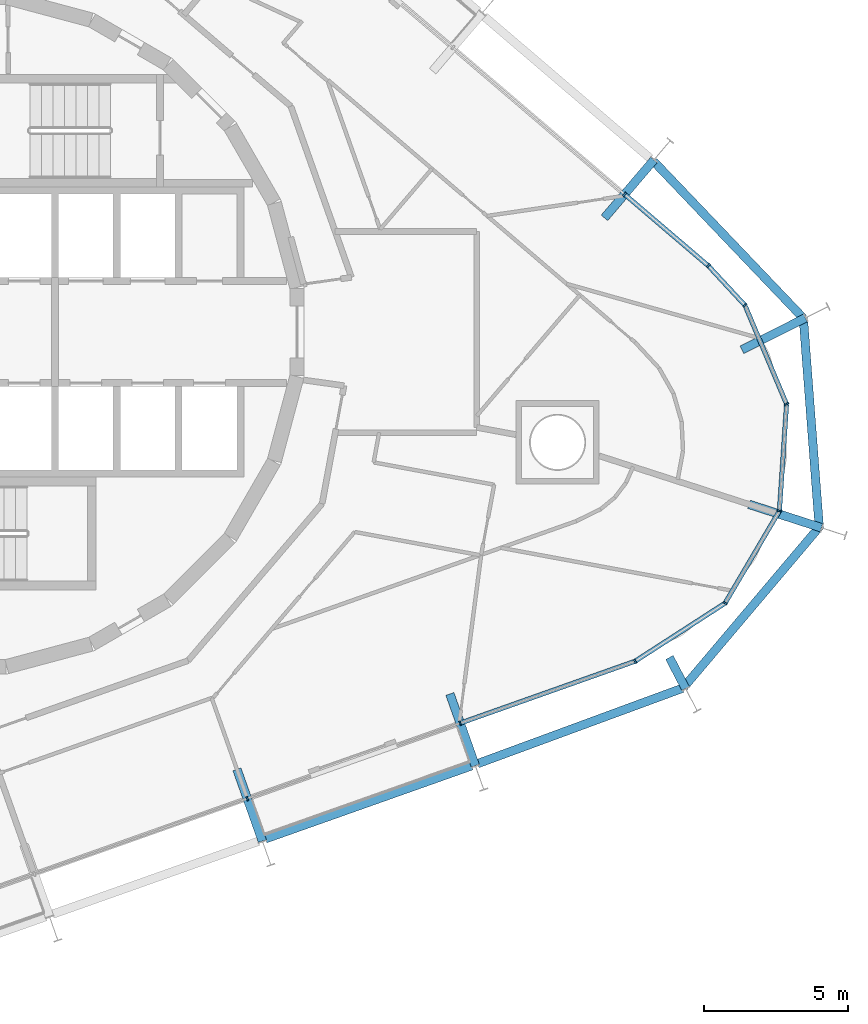
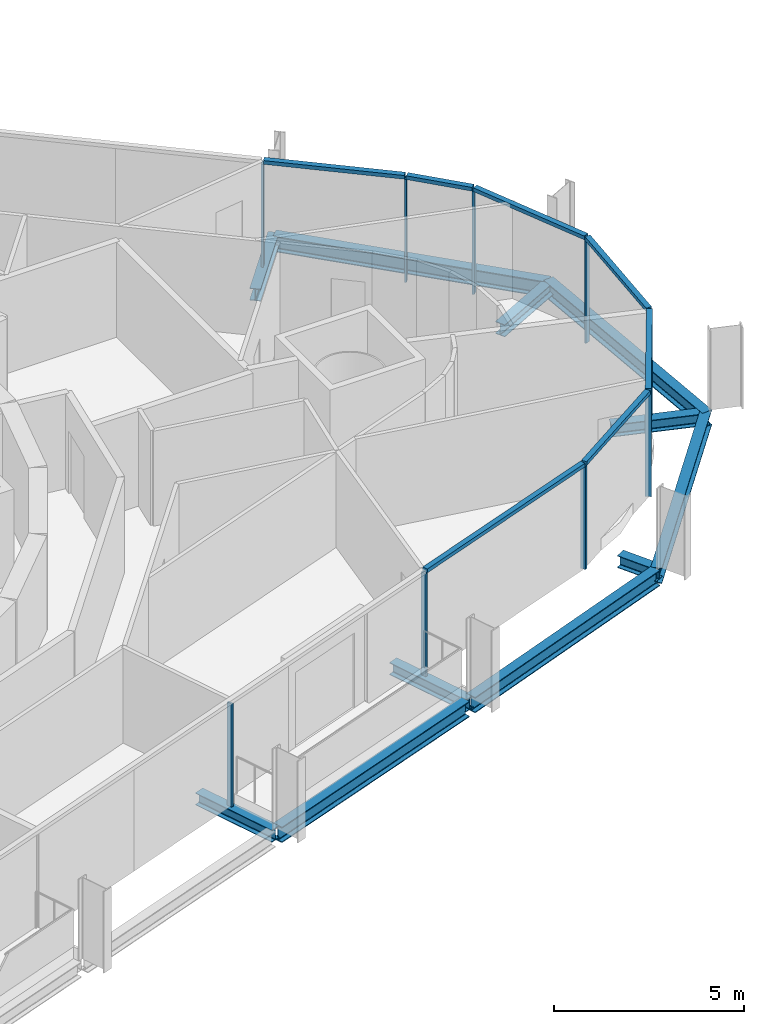
# One storey, part 5 of 17: 16 members, 11 beams, 3 elements without a shape of their own.
"""IFC4 building model written with IfcOpenShell, lengths in metres."""

from ifc_helpers import new_model, si_unit, direction, frame, origin, origin_2d, place, context, subcontext, project, spatial, rectangle, i_section, extrude, material, layer, layer_set, material_profile, profile_set, type_object, element, aggregate, save


model = new_model("IFC4")

# Units and contexts
model_context = context("Model", 3, precision=1e-05, world=origin(), true_north=direction((0.0, 1.0)))
body_context = subcontext(model_context, "Body", "Model", "MODEL_VIEW")
ifc_project = project(units=[si_unit("LENGTHUNIT", "METRE"), si_unit("AREAUNIT", "SQUARE_METRE"), si_unit("VOLUMEUNIT", "CUBIC_METRE"), si_unit("PLANEANGLEUNIT", "RADIAN"), si_unit("MASSUNIT", "GRAM", prefix="KILO")], contexts=[model_context])

# Site, building, storey
site_placement = place(None, origin())
site = spatial("IfcSite", under=ifc_project, at=site_placement, CompositionType="ELEMENT")
building_placement = place(site_placement, origin())
building = spatial("IfcBuilding", under=site, at=building_placement, Name="Spindle Arch Residences", CompositionType="ELEMENT")
storey_placement = place(building_placement, frame((0.0, 0.0, 179.699951171875)))
storey = spatial("IfcBuildingStorey", under=building, at=storey_placement, Name="L45", CompositionType="ELEMENT", Elevation=179.699951171875)

# Curtain wall, members
ifc_material_1 = material(Name="Aluminium bronze unitised frame with tinted glass", Category="aluminium")
ifc_layer_1 = layer(ifc_material_1, 0.159912109375)
ifc_layer_set_1 = layer_set([ifc_layer_1], Name="CW-D corner wall on the fillet arcs")
curtain_wall_type_1 = type_object("IfcCurtainWallType", Name="CW-D corner wall on the fillet arcs", PredefinedType="NOTDEFINED", material=ifc_layer_set_1)
curtain_wall_1_placement = place(storey_placement, origin())
curtain_wall_1 = element("IfcCurtainWall", 1, at=curtain_wall_1_placement, inside=storey, type_object=curtain_wall_type_1, Name="CW-D L45 run 1", PredefinedType="NOTDEFINED")
ifc_material_2 = material(Name="Aluminium bronze anodised mullion", Category="aluminium")
ifc_material_profile_1 = material_profile(ifc_material_2, rectangle(XDim=0.159912109375, YDim=0.06005859375, at=origin_2d()), Name="MU 60x160")
ifc_profile_set_1 = profile_set([ifc_material_profile_1], Name="Aluminium bronze anodised mullion")
member_type_1 = type_object("IfcMemberType", Name="Bronze mullion 60x160", PredefinedType="MULLION", material=ifc_profile_set_1)
member_1_placement = place(storey_placement, frame((17.326904296875, -13.609619140625, -0.3798828125), z_axis=(0.0, 0.0, 1.0), x_axis=(-0.333806859234, 0.942641491092, 0.0)))
member_1 = element("IfcMember", 2, at=member_1_placement, type_object=member_type_1, Name="CW-D mullion 00", PredefinedType="MULLION", context=body_context, shape_type="SweptSolid", body=[
    extrude(rectangle(XDim=0.159912109375, YDim=0.06005859375, at=origin_2d()), origin(), (0.0, 0.0, 1.0), 3.309814453125),
])
member_2_placement = place(storey_placement, frame((23.410400390625, -11.45556640625, -0.3798828125), z_axis=(0.0, 0.0, 1.0), x_axis=(-0.542197137778, 0.840251309898, 0.0)))
member_2 = element("IfcMember", 3, at=member_2_placement, type_object=member_type_1, Name="CW-D mullion 01", PredefinedType="MULLION", context=body_context, shape_type="SweptSolid", body=[
    extrude(rectangle(XDim=0.159912109375, YDim=0.06005859375, at=origin_2d()), origin(), (0.0, 0.0, 1.0), 3.309814453125),
])
member_3_placement = place(storey_placement, frame((26.541748046875, -9.434814453125, -0.3798828125), z_axis=(0.0, 0.0, 1.0), x_axis=(-0.86162915882, 0.507538365713, 0.0)))
member_3 = element("IfcMember", 4, at=member_3_placement, type_object=member_type_1, Name="CW-D mullion 02", PredefinedType="MULLION", context=body_context, shape_type="SweptSolid", body=[
    extrude(rectangle(XDim=0.159912109375, YDim=0.06005859375, at=origin_2d()), origin(), (0.0, 0.0, 1.0), 3.309814453125),
])
member_4_placement = place(storey_placement, frame((28.43310546875, -6.223876953125, -0.3798828125), z_axis=(0.0, 0.0, 1.0), x_axis=(-0.997762742461, 0.066854392204, 0.0)))
member_4 = element("IfcMember", 5, at=member_4_placement, type_object=member_type_1, Name="CW-D mullion 03", PredefinedType="MULLION", context=body_context, shape_type="SweptSolid", body=[
    extrude(rectangle(XDim=0.159912109375, YDim=0.06005859375, at=origin_2d()), origin(), (0.0, 0.0, 1.0), 3.309814453125),
])
member_5_placement = place(storey_placement, frame((28.682373046875, -2.50537109375, -0.3798828125), z_axis=(0.0, 0.0, 1.0), x_axis=(-0.921637549195, -0.388051836633, 0.0)))
member_5 = element("IfcMember", 6, at=member_5_placement, type_object=member_type_1, Name="CW-D mullion 04", PredefinedType="MULLION", context=body_context, shape_type="SweptSolid", body=[
    extrude(rectangle(XDim=0.159912109375, YDim=0.06005859375, at=origin_2d()), origin(), (0.0, 0.0, 1.0), 3.309814453125),
])
member_6_placement = place(storey_placement, frame((27.236083984375, 0.929443359375, -0.3798828125), z_axis=(0.0, 0.0, 1.0), x_axis=(-0.733334455983, -0.679868057543, 0.0)))
member_6 = element("IfcMember", 7, at=member_6_placement, type_object=member_type_1, Name="CW-D mullion 05", PredefinedType="MULLION", context=body_context, shape_type="SweptSolid", body=[
    extrude(rectangle(XDim=0.159912109375, YDim=0.06005859375, at=origin_2d()), origin(), (0.0, 0.0, 1.0), 3.309814453125),
])
member_7_placement = place(storey_placement, frame((25.960693359375, 2.30517578125, -0.3798828125), z_axis=(0.0, 0.0, 1.0), x_axis=(-0.64944804833, -0.7604059656, 0.0)))
member_7 = element("IfcMember", 8, at=member_7_placement, type_object=member_type_1, Name="CW-D mullion 06", PredefinedType="MULLION", context=body_context, shape_type="SweptSolid", body=[
    extrude(rectangle(XDim=0.159912109375, YDim=0.06005859375, at=origin_2d()), origin(), (0.0, 0.0, 1.0), 3.309814453125),
])

# Curtain wall, member
ifc_material_3 = material(Name="Aluminium bronze unitised frame with tinted glass", Category="aluminium")
ifc_layer_2 = layer(ifc_material_3, 0.159912109375)
ifc_layer_set_2 = layer_set([ifc_layer_2], Name="CW-C typical residential unitised wall")
curtain_wall_type_2 = type_object("IfcCurtainWallType", Name="CW-C typical residential unitised wall", PredefinedType="NOTDEFINED", material=ifc_layer_set_2)
curtain_wall_2_placement = place(storey_placement, origin())
curtain_wall_2 = element("IfcCurtainWall", 9, at=curtain_wall_2_placement, inside=storey, type_object=curtain_wall_type_2, Name="CW-C L45 run 2", PredefinedType="NOTDEFINED")
member_8_placement = place(storey_placement, frame((23.045654296875, 4.794677734375, -0.3798828125), z_axis=(0.0, 0.0, 1.0), x_axis=(-0.64944804833, -0.7604059656, 0.0)))
member_8 = element("IfcMember", 10, at=member_8_placement, type_object=member_type_1, Name="CW-C mullion 05", PredefinedType="MULLION", context=body_context, shape_type="SweptSolid", body=[
    extrude(rectangle(XDim=0.159912109375, YDim=0.06005859375, at=origin_2d()), origin(), (0.0, 0.0, 1.0), 3.309814453125),
])
aggregate(curtain_wall_2, [member_8])

curtain_wall_3_placement = place(storey_placement, origin())
curtain_wall_3 = element("IfcCurtainWall", 11, at=curtain_wall_3_placement, inside=storey, type_object=curtain_wall_type_2, Name="CW-C L45 run 6", PredefinedType="NOTDEFINED")
member_9_placement = place(storey_placement, frame((9.917724609375, -16.2333984375, -0.3798828125), z_axis=(0.0, 0.0, 1.0), x_axis=(-0.333806859234, 0.942641491092, 0.0)))
member_9 = element("IfcMember", 12, at=member_9_placement, type_object=member_type_1, Name="CW-C mullion 00", PredefinedType="MULLION", context=body_context, shape_type="SweptSolid", body=[
    extrude(rectangle(XDim=0.159912109375, YDim=0.06005859375, at=origin_2d()), origin(), (0.0, 0.0, 1.0), 3.309814453125),
])
aggregate(curtain_wall_3, [member_9])

# Member
ifc_material_4 = material(Name="Aluminium bronze anodised transom", Category="aluminium")
ifc_material_profile_2 = material_profile(ifc_material_4, rectangle(XDim=0.159912109375, YDim=0.1201171875, at=origin_2d()), Name="TR 120x160")
ifc_profile_set_2 = profile_set([ifc_material_profile_2], Name="Aluminium bronze anodised transom")
member_type_2 = type_object("IfcMemberType", Name="Bronze transom 120x160", PredefinedType="USERDEFINED", material=ifc_profile_set_2)
member_10_placement = place(storey_placement, frame((17.355224609375, -13.599609375, 2.989990234375), z_axis=(0.94265075566, 0.333780695748, 0.0), x_axis=(-0.333780695748, 0.94265075566, 0.0)))
member_10 = element("IfcMember", 13, at=member_10_placement, type_object=member_type_2, Name="CW-D transom 00", ObjectType="TRANSOM", PredefinedType="USERDEFINED", context=body_context, shape_type="SweptSolid", body=[
    extrude(rectangle(XDim=0.159912109375, YDim=0.1201171875, at=origin_2d()), origin(), (0.0, 0.0, 1.0), 6.3935546875),
])

member_11_placement = place(storey_placement, frame((23.435546875, -11.439208984375, 2.989990234375), z_axis=(0.840264358641, 0.542176915405, 0.0), x_axis=(-0.542176915405, 0.840264358641, 0.0)))
member_11 = element("IfcMember", 14, at=member_11_placement, type_object=member_type_2, Name="CW-D transom 01", ObjectType="TRANSOM", PredefinedType="USERDEFINED", context=body_context, shape_type="SweptSolid", body=[
    extrude(rectangle(XDim=0.159912109375, YDim=0.1201171875, at=origin_2d()), origin(), (0.0, 0.0, 1.0), 3.666748046875),
])

member_12_placement = place(storey_placement, frame((26.556884765625, -9.408935546875, 2.989990234375), z_axis=(0.507546689055, 0.861624255943, 0.0), x_axis=(-0.861624255943, 0.507546689055, 0.0)))
member_12 = element("IfcMember", 15, at=member_12_placement, type_object=member_type_2, Name="CW-D transom 02", ObjectType="TRANSOM", PredefinedType="USERDEFINED", context=body_context, shape_type="SweptSolid", body=[
    extrude(rectangle(XDim=0.159912109375, YDim=0.1201171875, at=origin_2d()), origin(), (0.0, 0.0, 1.0), 3.666748046875),
])

member_13_placement = place(storey_placement, frame((28.43505859375, -6.19384765625, 2.989990234375), z_axis=(0.066916740455, 0.997758562903, 0.0), x_axis=(-0.997758562903, 0.066916740455, 0.0)))
member_13 = element("IfcMember", 16, at=member_13_placement, type_object=member_type_2, Name="CW-D transom 03", ObjectType="TRANSOM", PredefinedType="USERDEFINED", context=body_context, shape_type="SweptSolid", body=[
    extrude(rectangle(XDim=0.159912109375, YDim=0.1201171875, at=origin_2d()), origin(), (0.0, 0.0, 1.0), 3.666748046875),
])

member_14_placement = place(storey_placement, frame((28.670654296875, -2.477783203125, 2.989990234375), z_axis=(-0.388045093438, 0.921640388361, 0.0), x_axis=(-0.921640388361, -0.388045093438, 0.0)))
member_14 = element("IfcMember", 17, at=member_14_placement, type_object=member_type_2, Name="CW-D transom 04", ObjectType="TRANSOM", PredefinedType="USERDEFINED", context=body_context, shape_type="SweptSolid", body=[
    extrude(rectangle(XDim=0.159912109375, YDim=0.1201171875, at=origin_2d()), origin(), (0.0, 0.0, 1.0), 3.666748046875),
])

member_15_placement = place(storey_placement, frame((27.2158203125, 0.951416015625, 2.989990234375), z_axis=(-0.679919851258, 0.733286435075, 0.0), x_axis=(-0.733286435075, -0.679919851258, 0.0)))
member_15 = element("IfcMember", 18, at=member_15_placement, type_object=member_type_2, Name="CW-D transom 05", ObjectType="TRANSOM", PredefinedType="USERDEFINED", context=body_context, shape_type="SweptSolid", body=[
    extrude(rectangle(XDim=0.159912109375, YDim=0.1201171875, at=origin_2d()), origin(), (0.0, 0.0, 1.0), 1.816162109375),
])

member_16_placement = place(storey_placement, frame((25.937744140625, 2.32470703125, 2.989990234375), z_axis=(-0.76037900371, 0.64947961532, 0.0), x_axis=(-0.64947961532, -0.76037900371, 0.0)))
member_16 = element("IfcMember", 19, at=member_16_placement, type_object=member_type_2, Name="CW-D transom 06", ObjectType="TRANSOM", PredefinedType="USERDEFINED", context=body_context, shape_type="SweptSolid", body=[
    extrude(rectangle(XDim=0.159912109375, YDim=0.1201171875, at=origin_2d()), origin(), (0.0, 0.0, 1.0), 3.773193359375),
])

aggregate(curtain_wall_1, [member_1, member_10, member_2, member_11, member_3, member_12, member_4, member_13, member_5, member_14, member_6, member_15, member_7, member_16])

# Beams
ifc_material_5 = material(Name="Steel S460ML, intumescent coating R 120", Category="steel")
ifc_material_profile_3 = material_profile(ifc_material_5, i_section(OverallWidth=0.300048828125, OverallDepth=0.5, WebThickness=0.014404296875, FlangeThickness=0.028076171875, FilletRadius=0.027099609375, at=origin_2d()), Name="HEB 500")
ifc_profile_set_3 = profile_set([ifc_material_profile_3], Name="Steel S460ML, intumescent coating R 120")
beam_type_1 = type_object("IfcBeamType", Name="Exoskeleton edge beam HEB 500", PredefinedType="BEAM", material=ifc_profile_set_3)
beam_1_placement = place(storey_placement, frame((10.551025390625, -17.63232421875, -0.6298828125), z_axis=(0.942633964352, 0.33382811333, 0.0), x_axis=(-0.33382811333, 0.942633964352, 0.0)))
element("IfcBeam", 20, at=beam_1_placement, inside=storey, type_object=beam_type_1, Name="Exoskeleton edge beam 1", PredefinedType="BEAM", context=body_context, shape_type="SweptSolid", body=[
    extrude(i_section(OverallWidth=0.300048828125, OverallDepth=0.5, WebThickness=0.014404296875, FlangeThickness=0.028076171875, FilletRadius=0.027099609375, at=origin_2d()), origin(), (0.0, 0.0, 1.0), 7.60009765625),
])
beam_2_placement = place(storey_placement, frame((17.927978515625, -15.01953125, -0.6298828125), z_axis=(0.938417721989, 0.345502791677, 0.0), x_axis=(-0.345502791677, 0.938417721989, 0.0)))
element("IfcBeam", 21, at=beam_2_placement, inside=storey, type_object=beam_type_1, Name="Exoskeleton edge beam 2", PredefinedType="BEAM", context=body_context, shape_type="SweptSolid", body=[
    extrude(i_section(OverallWidth=0.300048828125, OverallDepth=0.5, WebThickness=0.014404296875, FlangeThickness=0.028076171875, FilletRadius=0.027099609375, at=origin_2d()), origin(), (0.0, 0.0, 1.0), 7.59619140625),
])
for number, where, z_axis, x_axis, name in (
    (22, (25.08349609375, -12.3837890625, -0.6298828125), (0.645788487343, 0.763516358446, 0.0), (-0.763516358446, 0.645788487343, 0.0), "Exoskeleton edge beam 3"),
    (23, (29.823974609375, -6.856201171875, -0.6298828125), (-0.076078644635, 0.997101820192, 0.0), (-0.997101820192, -0.076078644635, 0.0), "Exoskeleton edge beam 4"),
):
    element("IfcBeam", number, at=place(storey_placement, frame(where, z_axis=z_axis, x_axis=x_axis)), inside=storey, type_object=beam_type_1, Name=name, PredefinedType="BEAM", context=body_context, shape_type="SweptSolid", body=[
        extrude(i_section(OverallWidth=0.300048828125, OverallDepth=0.5, WebThickness=0.014404296875, FlangeThickness=0.028076171875, FilletRadius=0.027099609375, at=origin_2d()), origin(), (0.0, 0.0, 1.0), 7.4033203125),
    ])
beam_3_placement = place(storey_placement, frame((29.263916015625, 0.484375, -0.6298828125), z_axis=(-0.690454167384, 0.72337614195, 0.0), x_axis=(-0.72337614195, -0.690454167384, 0.0)))
element("IfcBeam", 24, at=beam_3_placement, inside=storey, type_object=beam_type_1, Name="Exoskeleton edge beam 5", PredefinedType="BEAM", context=body_context, shape_type="SweptSolid", body=[
    extrude(i_section(OverallWidth=0.300048828125, OverallDepth=0.5, WebThickness=0.014404296875, FlangeThickness=0.028076171875, FilletRadius=0.027099609375, at=origin_2d()), origin(), (0.0, 0.0, 1.0), 7.534423828125),
])
ifc_material_6 = material(Name="Steel S460ML, intumescent coating R 120", Category="steel")
ifc_material_profile_4 = material_profile(ifc_material_6, i_section(OverallWidth=0.300048828125, OverallDepth=0.389892578125, WebThickness=0.010986328125, FlangeThickness=0.01904296875, FilletRadius=0.027099609375, at=origin_2d()), Name="HEA 400")
ifc_profile_set_4 = profile_set([ifc_material_profile_4], Name="Steel S460ML, intumescent coating R 120")
beam_type_2 = type_object("IfcBeamType", Name="Floor outrigger HEA 400", PredefinedType="BEAM", material=ifc_profile_set_4)
beam_4_placement = place(storey_placement, frame((10.44189453125, -17.71337890625, -0.574951171875), z_axis=(-0.333860785086, 0.942622393211, 0.0), x_axis=(-0.942622393211, -0.333860785086, 0.0)))
element("IfcBeam", 25, at=beam_4_placement, inside=storey, type_object=beam_type_2, Name="Floor outrigger 1", PredefinedType="BEAM", context=body_context, shape_type="SweptSolid", body=[
    extrude(i_section(OverallWidth=0.300048828125, OverallDepth=0.389892578125, WebThickness=0.010986328125, FlangeThickness=0.01904296875, FilletRadius=0.027099609375, at=origin_2d()), origin(), (0.0, 0.0, 1.0), 2.650146484375),
])
beam_5_placement = place(storey_placement, frame((17.85107421875, -15.089599609375, -0.574951171875), z_axis=(-0.333778924893, 0.942651382695, 0.0), x_axis=(-0.942651382695, -0.333778924893, 0.0)))
element("IfcBeam", 26, at=beam_5_placement, inside=storey, type_object=beam_type_2, Name="Floor outrigger 2", PredefinedType="BEAM", context=body_context, shape_type="SweptSolid", body=[
    extrude(i_section(OverallWidth=0.300048828125, OverallDepth=0.389892578125, WebThickness=0.010986328125, FlangeThickness=0.01904296875, FilletRadius=0.027099609375, at=origin_2d()), origin(), (0.0, 0.0, 1.0), 2.64990234375),
])
beam_6_placement = place(storey_placement, frame((25.166015625, -12.400146484375, -0.574951171875), z_axis=(-0.461536115739, 0.887121420026, 0.0), x_axis=(-0.887121420026, -0.461536115739, 0.0)))
element("IfcBeam", 27, at=beam_6_placement, inside=storey, type_object=beam_type_2, Name="Floor outrigger 3", PredefinedType="BEAM", context=body_context, shape_type="SweptSolid", body=[
    extrude(i_section(OverallWidth=0.300048828125, OverallDepth=0.389892578125, WebThickness=0.010986328125, FlangeThickness=0.01904296875, FilletRadius=0.027099609375, at=origin_2d()), origin(), (0.0, 0.0, 1.0), 1.215576171875),
])
beam_7_placement = place(storey_placement, frame((29.894287109375, -6.81005859375, -0.574951171875), z_axis=(-0.951419914018, 0.307896325424, 0.0), x_axis=(-0.307896325424, -0.951419914018, 0.0)))
element("IfcBeam", 28, at=beam_7_placement, inside=storey, type_object=beam_type_2, Name="Floor outrigger 4", PredefinedType="BEAM", context=body_context, shape_type="SweptSolid", body=[
    extrude(i_section(OverallWidth=0.300048828125, OverallDepth=0.389892578125, WebThickness=0.010986328125, FlangeThickness=0.01904296875, FilletRadius=0.027099609375, at=origin_2d()), origin(), (0.0, 0.0, 1.0), 2.64990234375),
])
beam_8_placement = place(storey_placement, frame((29.33740234375, 0.490478515625, -0.574951171875), z_axis=(-0.8937538876, -0.448557675668, 0.0), x_axis=(0.448557675668, -0.8937538876, 0.0)))
element("IfcBeam", 29, at=beam_8_placement, inside=storey, type_object=beam_type_2, Name="Floor outrigger 5", PredefinedType="BEAM", context=body_context, shape_type="SweptSolid", body=[
    extrude(i_section(OverallWidth=0.300048828125, OverallDepth=0.389892578125, WebThickness=0.010986328125, FlangeThickness=0.01904296875, FilletRadius=0.027099609375, at=origin_2d()), origin(), (0.0, 0.0, 1.0), 2.469482421875),
])
beam_9_placement = place(storey_placement, frame((24.065185546875, 5.988525390625, -0.574951171875), z_axis=(-0.64941704551, -0.760432443417, 0.0), x_axis=(0.760432443417, -0.64941704551, 0.0)))
element("IfcBeam", 30, at=beam_9_placement, inside=storey, type_object=beam_type_2, Name="Floor outrigger 6", PredefinedType="BEAM", context=body_context, shape_type="SweptSolid", body=[
    extrude(i_section(OverallWidth=0.300048828125, OverallDepth=0.389892578125, WebThickness=0.010986328125, FlangeThickness=0.01904296875, FilletRadius=0.027099609375, at=origin_2d()), origin(), (0.0, 0.0, 1.0), 2.64990234375),
])

save(model, "model.ifc")
